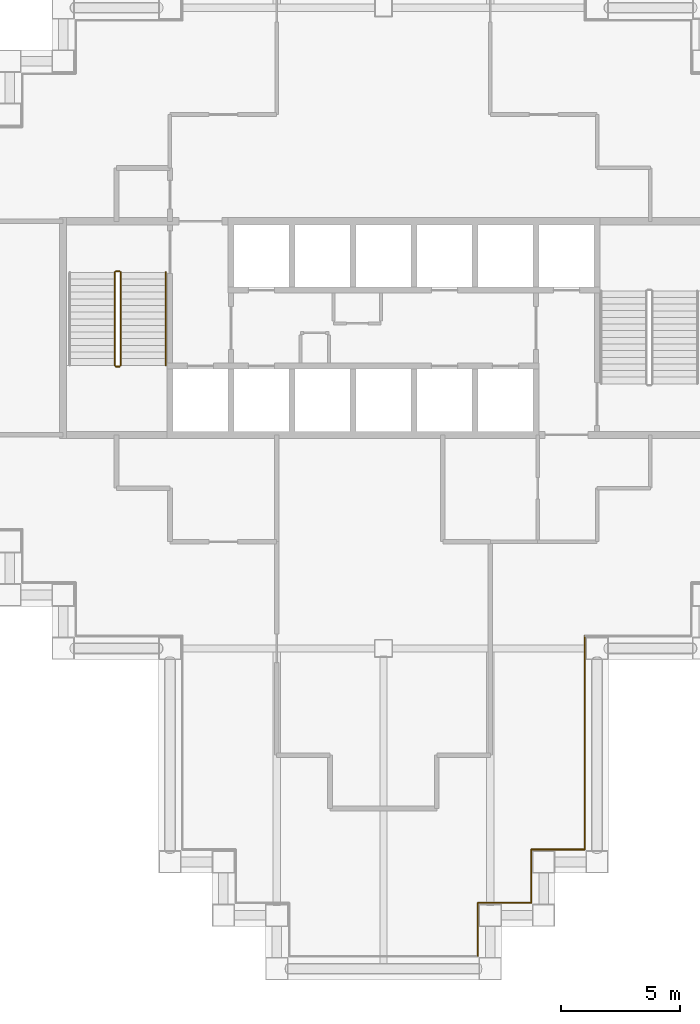
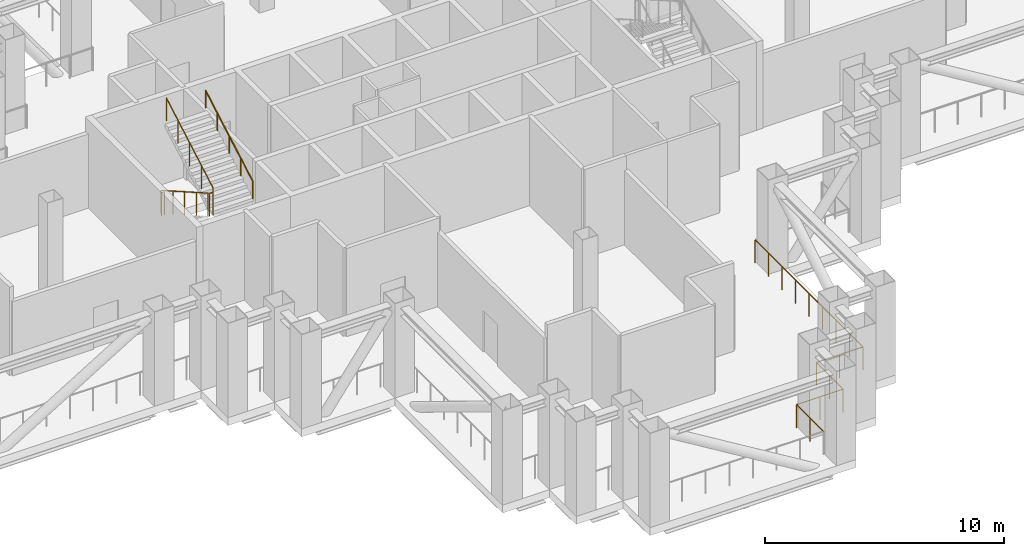
# One storey, part 8 of 10: 10 railings.
"""IFC4 building model written with IfcOpenShell, lengths in metres."""

from ifc_helpers import new_model, si_unit, direction, frame, origin, origin_2d, place, context, subcontext, project, spatial, circle, extrude, material, type_object, element, save


model = new_model("IFC4")

# Units and contexts
model_context = context("Model", 3, precision=1e-05, world=origin(), true_north=direction((0.0, 1.0)))
body_context = subcontext(model_context, "Body", "Model", "MODEL_VIEW")
ifc_project = project(units=[si_unit("LENGTHUNIT", "METRE"), si_unit("AREAUNIT", "SQUARE_METRE"), si_unit("VOLUMEUNIT", "CUBIC_METRE"), si_unit("PLANEANGLEUNIT", "RADIAN"), si_unit("MASSUNIT", "GRAM", prefix="KILO")], contexts=[model_context])

# Site, building, storey
site_placement = place(None, origin())
site = spatial("IfcSite", under=ifc_project, at=site_placement, CompositionType="ELEMENT")
building_placement = place(site_placement, origin())
building = spatial("IfcBuilding", under=site, at=building_placement, Name="Caravel Reach Hotel and Residences", CompositionType="ELEMENT")
storey_placement = place(building_placement, frame((0.0, 0.0, 96.0)))
storey = spatial("IfcBuildingStorey", under=building, at=storey_placement, Name="L23", CompositionType="ELEMENT", Elevation=96.0)

# Railings
ifc_material_1 = material(Name="Stainless steel S30408", Category="steel")
railing_type_1 = type_object("IfcRailingType", Name="G1 Guard 1200 stainless", PredefinedType="GUARDRAIL", material=ifc_material_1)
railing_1_placement = place(storey_placement, frame((35.47509765625, 0.52490234375, 0.0)))
element("IfcRailing", 1, at=railing_1_placement, inside=storey, type_object=railing_type_1, Name="Guard L23 1 run 6", PredefinedType="GUARDRAIL", context=body_context, shape_type="SweptSolid", body=[
    extrude(circle(Radius=0.02392578125, at=origin_2d()), frame((0.0, 0.0, 1.17578125), z_axis=(0.0, 1.0, 0.0), x_axis=(-1.0, 0.0, 0.0)), (0.0, 0.0, 1.0), 2.25),
    extrude(circle(Radius=0.02099609375, at=origin_2d()), frame((0.0, 1.125, 0.0)), (0.0, 0.0, 1.0), 1.15185546875),
    extrude(circle(Radius=0.02099609375, at=origin_2d()), frame((0.0, 2.25, 0.0)), (0.0, 0.0, 1.0), 1.15185546875),
])
railing_2_placement = place(storey_placement, frame((35.47509765625, 2.77490234375, 0.0)))
element("IfcRailing", 2, at=railing_2_placement, inside=storey, type_object=railing_type_1, Name="Guard L23 1 run 7", PredefinedType="GUARDRAIL", context=body_context, shape_type="SweptSolid", body=[
    extrude(circle(Radius=0.02392578125, at=origin_2d()), frame((0.0, 0.0, 1.17578125), z_axis=(1.0, 0.0, 0.0), x_axis=(0.0, 1.0, 0.0)), (0.0, 0.0, 1.0), 2.25),
    extrude(circle(Radius=0.02099609375, at=origin_2d()), frame((1.125, 0.0, 0.0)), (0.0, 0.0, 1.0), 1.15185546875),
    extrude(circle(Radius=0.02099609375, at=origin_2d()), frame((2.25, 0.0, 0.0)), (0.0, 0.0, 1.0), 1.15185546875),
])
railing_3_placement = place(storey_placement, frame((37.72509765625, 2.77490234375, 0.0)))
element("IfcRailing", 3, at=railing_3_placement, inside=storey, type_object=railing_type_1, Name="Guard L23 1 run 8", PredefinedType="GUARDRAIL", context=body_context, shape_type="SweptSolid", body=[
    extrude(circle(Radius=0.02392578125, at=origin_2d()), frame((0.0, 0.0, 1.17578125), z_axis=(0.0, 1.0, 0.0), x_axis=(-1.0, 0.0, 0.0)), (0.0, 0.0, 1.0), 2.25),
    extrude(circle(Radius=0.02099609375, at=origin_2d()), frame((0.0, 1.125, 0.0)), (0.0, 0.0, 1.0), 1.15185546875),
    extrude(circle(Radius=0.02099609375, at=origin_2d()), frame((0.0, 2.25, 0.0)), (0.0, 0.0, 1.0), 1.15185546875),
])
railing_4_placement = place(storey_placement, frame((37.72509765625, 5.02490234375, 0.0)))
element("IfcRailing", 4, at=railing_4_placement, inside=storey, type_object=railing_type_1, Name="Guard L23 1 run 9", PredefinedType="GUARDRAIL", context=body_context, shape_type="SweptSolid", body=[
    extrude(circle(Radius=0.02392578125, at=origin_2d()), frame((0.0, 0.0, 1.17578125), z_axis=(1.0, 0.0, 0.0), x_axis=(0.0, 1.0, 0.0)), (0.0, 0.0, 1.0), 2.25),
    extrude(circle(Radius=0.02099609375, at=origin_2d()), frame((1.125, 0.0, 0.0)), (0.0, 0.0, 1.0), 1.15185546875),
    extrude(circle(Radius=0.02099609375, at=origin_2d()), frame((2.25, 0.0, 0.0)), (0.0, 0.0, 1.0), 1.15185546875),
])
railing_5_placement = place(storey_placement, frame((39.97509765625, 5.02490234375, 0.0)))
element("IfcRailing", 5, at=railing_5_placement, inside=storey, type_object=railing_type_1, Name="Guard L23 1 run 10", PredefinedType="GUARDRAIL", context=body_context, shape_type="SweptSolid", body=[
    extrude(circle(Radius=0.02392578125, at=origin_2d()), frame((0.0, 0.0, 1.17578125), z_axis=(0.0, 1.0, 0.0), x_axis=(-1.0, 0.0, 0.0)), (0.0, 0.0, 1.0), 9.0),
    extrude(circle(Radius=0.02099609375, at=origin_2d()), frame((0.0, 1.125, 0.0)), (0.0, 0.0, 1.0), 1.15185546875),
    extrude(circle(Radius=0.02099609375, at=origin_2d()), frame((0.0, 2.25, 0.0)), (0.0, 0.0, 1.0), 1.15185546875),
    extrude(circle(Radius=0.02099609375, at=origin_2d()), frame((0.0, 3.375, 0.0)), (0.0, 0.0, 1.0), 1.15185546875),
    extrude(circle(Radius=0.02099609375, at=origin_2d()), frame((0.0, 4.5, 0.0)), (0.0, 0.0, 1.0), 1.15185546875),
    extrude(circle(Radius=0.02099609375, at=origin_2d()), frame((0.0, 5.625, 0.0)), (0.0, 0.0, 1.0), 1.15185546875),
    extrude(circle(Radius=0.02099609375, at=origin_2d()), frame((0.0, 6.75, 0.0)), (0.0, 0.0, 1.0), 1.15185546875),
    extrude(circle(Radius=0.02099609375, at=origin_2d()), frame((0.0, 7.875, 0.0)), (0.0, 0.0, 1.0), 1.15185546875),
    extrude(circle(Radius=0.02099609375, at=origin_2d()), frame((0.0, 9.0, 0.0)), (0.0, 0.0, 1.0), 1.15185546875),
])
ifc_material_2 = material(Name="Steel balustrade with glass infill", Category="steel")
railing_type_2 = type_object("IfcRailingType", Name="Guard 1200", PredefinedType="GUARDRAIL", material=ifc_material_2)
railing_6_placement = place(storey_placement, frame((20.175048828125, 29.35009765625, 0.159912109375)))
element("IfcRailing", 6, at=railing_6_placement, inside=storey, type_object=railing_type_2, Name="L23 ST-A stair guard 1", PredefinedType="GUARDRAIL", context=body_context, shape_type="SweptSolid", body=[
    extrude(circle(Radius=0.02392578125, at=origin_2d()), frame((0.0, 0.0, 1.17578125), z_axis=(0.0, -0.86825312469, 0.496121468458), x_axis=(1.0, 0.0, 0.0)), (0.0, 0.0, 1.0), 4.514892578125),
    extrude(circle(Radius=0.02099609375, at=origin_2d()), origin(), (0.0, 0.0, 1.0), 1.15185546875),
    extrude(circle(Radius=0.02099609375, at=origin_2d()), frame((0.0, -0.97998046875, 0.56005859375)), (0.0, 0.0, 1.0), 1.15185546875),
    extrude(circle(Radius=0.02099609375, at=origin_2d()), frame((0.0, -1.9599609375, 1.1201171875)), (0.0, 0.0, 1.0), 1.15185546875),
    extrude(circle(Radius=0.02099609375, at=origin_2d()), frame((0.0, -2.940185546875, 1.679931640625)), (0.0, 0.0, 1.0), 1.15185546875),
    extrude(circle(Radius=0.02099609375, at=origin_2d()), frame((0.0, -3.920166015625, 2.239990234375)), (0.0, 0.0, 1.0), 1.15185546875),
])
railing_7_placement = place(storey_placement, frame((20.22509765625, 25.3798828125, 2.39990234375)))
element("IfcRailing", 7, at=railing_7_placement, inside=storey, type_object=railing_type_2, Name="L23 ST-A stair guard 2", PredefinedType="GUARDRAIL", context=body_context, shape_type="SweptSolid", body=[
    extrude(circle(Radius=0.02392578125, at=origin_2d()), frame((0.0, 0.0, 1.17578125), z_axis=(1.0, 0.0, 0.0), x_axis=(0.0, 1.0, 0.0)), (0.0, 0.0, 1.0), 0.14990234375),
    extrude(circle(Radius=0.02099609375, at=origin_2d()), origin(), (0.0, 0.0, 1.0), 1.15185546875),
    extrude(circle(Radius=0.02099609375, at=origin_2d()), frame((0.14990234375, 0.0, 0.0)), (0.0, 0.0, 1.0), 1.15185546875),
])
railing_8_placement = place(storey_placement, frame((20.425048828125, 25.429931640625, 2.56005859375)))
element("IfcRailing", 8, at=railing_8_placement, inside=storey, type_object=railing_type_2, Name="L23 ST-A stair guard 3", PredefinedType="GUARDRAIL", context=body_context, shape_type="SweptSolid", body=[
    extrude(circle(Radius=0.02392578125, at=origin_2d()), frame((0.0, 0.0, 1.17578125), z_axis=(0.0, 0.86825312469, 0.496121468458), x_axis=(-1.0, 0.0, 0.0)), (0.0, 0.0, 1.0), 4.514892578125),
    extrude(circle(Radius=0.02099609375, at=origin_2d()), origin(), (0.0, 0.0, 1.0), 1.15185546875),
    extrude(circle(Radius=0.02099609375, at=origin_2d()), frame((0.0, 0.97998046875, 0.56005859375)), (0.0, 0.0, 1.0), 1.15185546875),
    extrude(circle(Radius=0.02099609375, at=origin_2d()), frame((0.0, 1.9599609375, 1.1201171875)), (0.0, 0.0, 1.0), 1.15185546875),
    extrude(circle(Radius=0.02099609375, at=origin_2d()), frame((0.0, 2.940185546875, 1.679931640625)), (0.0, 0.0, 1.0), 1.15185546875),
    extrude(circle(Radius=0.02099609375, at=origin_2d()), frame((0.0, 3.920166015625, 2.239990234375)), (0.0, 0.0, 1.0), 1.15185546875),
])
railing_9_placement = place(storey_placement, frame((20.22509765625, 29.39990234375, 0.0)))
element("IfcRailing", 9, at=railing_9_placement, inside=storey, type_object=railing_type_2, Name="L23 ST-A stair guard 4", PredefinedType="GUARDRAIL", context=body_context, shape_type="SweptSolid", body=[
    extrude(circle(Radius=0.02392578125, at=origin_2d()), frame((0.0, 0.0, 1.17578125), z_axis=(1.0, 0.0, 0.0), x_axis=(0.0, 1.0, 0.0)), (0.0, 0.0, 1.0), 0.14990234375),
    extrude(circle(Radius=0.02099609375, at=origin_2d()), origin(), (0.0, 0.0, 1.0), 1.15185546875),
    extrude(circle(Radius=0.02099609375, at=origin_2d()), frame((0.14990234375, 0.0, 0.0)), (0.0, 0.0, 1.0), 1.15185546875),
])
ifc_material_3 = material(Name="Stainless steel handrail", Category="steel")
railing_type_3 = type_object("IfcRailingType", Name="Handrail 900", PredefinedType="HANDRAIL", material=ifc_material_3)
railing_10_placement = place(storey_placement, frame((22.324951171875, 25.429931640625, 2.56005859375)))
element("IfcRailing", 10, at=railing_10_placement, inside=storey, type_object=railing_type_3, Name="L23 ST-A stair handrail 2", PredefinedType="HANDRAIL", context=body_context, shape_type="SweptSolid", body=[
    extrude(circle(Radius=0.02392578125, at=origin_2d()), frame((0.0, 0.0, 0.8759765625), z_axis=(0.0, 0.86825312469, 0.496121468458), x_axis=(-1.0, 0.0, 0.0)), (0.0, 0.0, 1.0), 4.514892578125),
    extrude(circle(Radius=0.02099609375, at=origin_2d()), origin(), (0.0, 0.0, 1.0), 0.851806640625),
    extrude(circle(Radius=0.02099609375, at=origin_2d()), frame((0.0, 0.97998046875, 0.56005859375)), (0.0, 0.0, 1.0), 0.851806640625),
    extrude(circle(Radius=0.02099609375, at=origin_2d()), frame((0.0, 1.9599609375, 1.1201171875)), (0.0, 0.0, 1.0), 0.851806640625),
    extrude(circle(Radius=0.02099609375, at=origin_2d()), frame((0.0, 2.940185546875, 1.679931640625)), (0.0, 0.0, 1.0), 0.851806640625),
    extrude(circle(Radius=0.02099609375, at=origin_2d()), frame((0.0, 3.920166015625, 2.239990234375)), (0.0, 0.0, 1.0), 0.851806640625),
])

save(model, "model.ifc")
